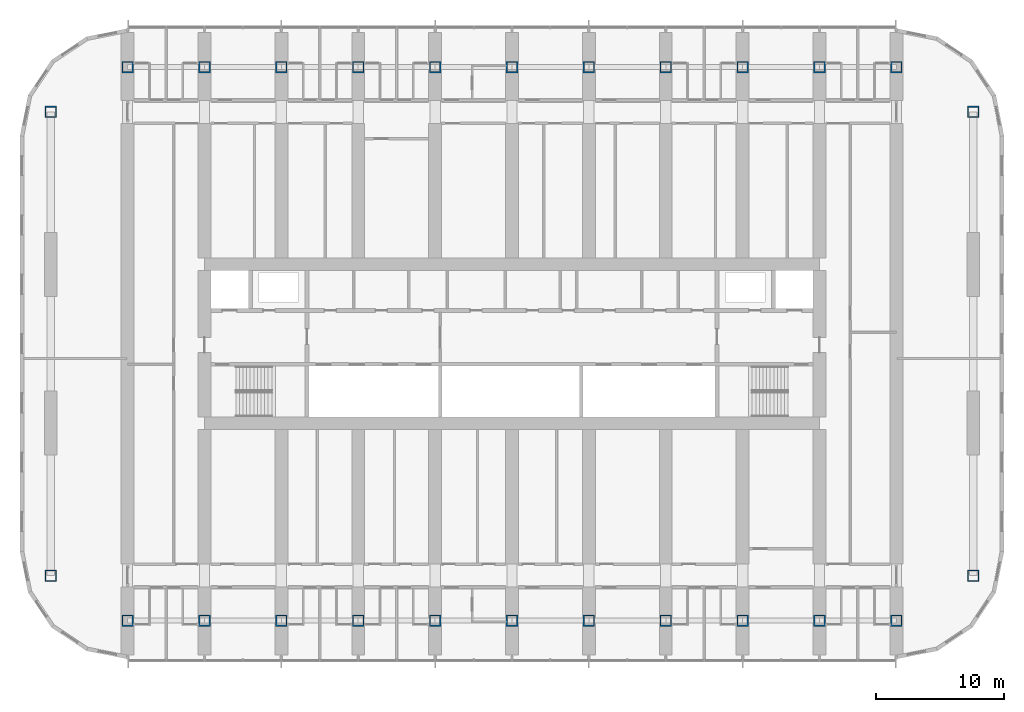
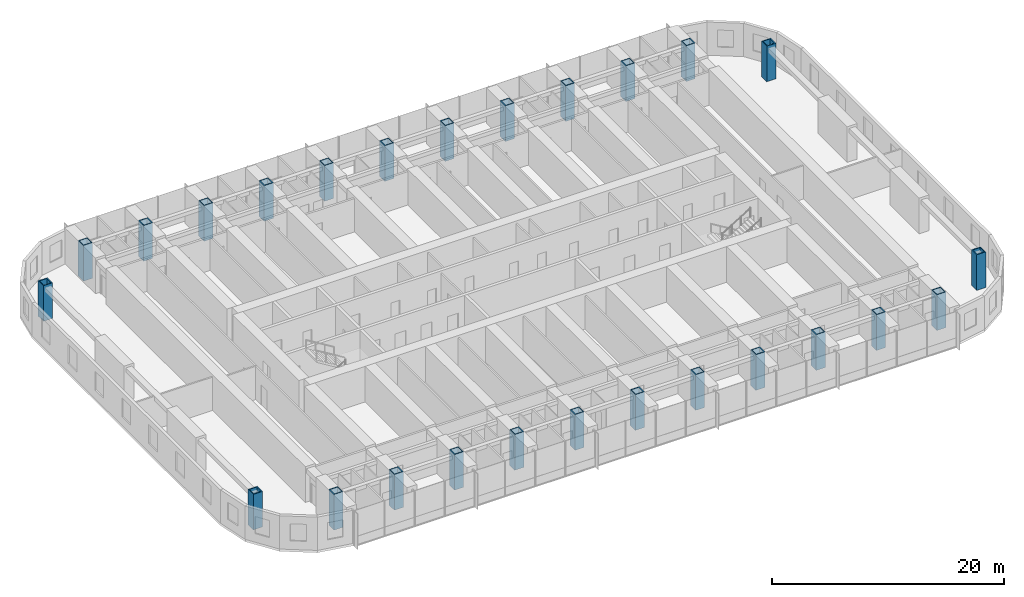
# One storey, part 1 of 23: 26 columns.
"""IFC4 building model written with IfcOpenShell, lengths in metres."""

from ifc_helpers import new_model, si_unit, direction, frame, origin, origin_2d, place, context, subcontext, project, spatial, hollow_rectangle, extrude, material, material_profile, profile_set, type_object, element, save


model = new_model("IFC4")

# Units and contexts
model_context = context("Model", 3, precision=1e-05, world=origin(), true_north=direction((0.0, 1.0)))
body_context = subcontext(model_context, "Body", "Model", "MODEL_VIEW")
ifc_project = project(units=[si_unit("LENGTHUNIT", "METRE"), si_unit("AREAUNIT", "SQUARE_METRE"), si_unit("VOLUMEUNIT", "CUBIC_METRE"), si_unit("PLANEANGLEUNIT", "RADIAN"), si_unit("MASSUNIT", "GRAM", prefix="KILO")], contexts=[model_context])

# Site, building, storey
site_placement = place(None, origin())
site = spatial("IfcSite", under=ifc_project, at=site_placement, CompositionType="ELEMENT")
building_placement = place(site_placement, origin())
building = spatial("IfcBuilding", under=site, at=building_placement, Name="Orbita Commons", CompositionType="ELEMENT")
storey_placement = place(building_placement, frame((0.0, 0.0, 46.449951171875)))
storey = spatial("IfcBuildingStorey", under=building, at=storey_placement, Name="L11", CompositionType="ELEMENT", Elevation=46.449951171875)

# Columns
ifc_material = material(Name="Steel ASTM A572 Gr 50 welded plate", Category="steel")
ifc_material_profile = material_profile(ifc_material, hollow_rectangle(XDim=0.89990234375, YDim=0.89990234375, WallThickness=0.090087890625, at=origin_2d()), Name="BOX 900x900x90")
ifc_profile_set = profile_set([ifc_material_profile], Name="Steel ASTM A572 Gr 50 welded plate")
column_type = type_object("IfcColumnType", Name="Steel column BOX 900x900x90", PredefinedType="COLUMN", material=ifc_profile_set)
for number, where, z_axis, x_axis, name in (
    (1, (12.0, 10.39990234375, 0.0), (0.0, 0.0, 1.0), (1.0, 0.0, 0.0), "Column 3/B L11"),
    (2, (12.0, 53.60009765625, 0.0), (0.0, 0.0, 1.0), (1.0, 0.0, 0.0), "Column 3/E L11"),
    (3, (18.0, 10.39990234375, 0.0), (0.0, 0.0, 1.0), (1.0, 0.0, 0.0), "Column 4/B L11"),
    (4, (18.0, 53.60009765625, 0.0), (0.0, 0.0, 1.0), (1.0, 0.0, 0.0), "Column 4/E L11"),
    (5, (24.0, 10.39990234375, 0.0), (0.0, 0.0, 1.0), (1.0, 0.0, 0.0), "Column 5/B L11"),
    (6, (24.0, 53.60009765625, 0.0), (0.0, 0.0, 1.0), (1.0, 0.0, 0.0), "Column 5/E L11"),
    (7, (30.0, 10.39990234375, 0.0), (0.0, 0.0, 1.0), (1.0, 0.0, 0.0), "Column 6/B L11"),
    (8, (30.0, 53.60009765625, 0.0), (0.0, 0.0, 1.0), (1.0, 0.0, 0.0), "Column 6/E L11"),
    (9, (36.0, 10.39990234375, 0.0), (0.0, 0.0, 1.0), (1.0, 0.0, 0.0), "Column 7/B L11"),
    (10, (36.0, 53.60009765625, 0.0), (0.0, 0.0, 1.0), (1.0, 0.0, 0.0), "Column 7/E L11"),
    (11, (42.0, 10.39990234375, 0.0), (0.0, 0.0, 1.0), (1.0, 0.0, 0.0), "Column 8/B L11"),
    (12, (42.0, 53.60009765625, 0.0), (0.0, 0.0, 1.0), (1.0, 0.0, 0.0), "Column 8/E L11"),
    (13, (48.0, 10.39990234375, 0.0), (0.0, 0.0, 1.0), (1.0, 0.0, 0.0), "Column 9/B L11"),
    (14, (48.0, 53.60009765625, 0.0), (0.0, 0.0, 1.0), (1.0, 0.0, 0.0), "Column 9/E L11"),
    (15, (54.0, 10.39990234375, 0.0), (0.0, 0.0, 1.0), (1.0, 0.0, 0.0), "Column 10/B L11"),
    (16, (54.0, 53.60009765625, 0.0), (0.0, 0.0, 1.0), (1.0, 0.0, 0.0), "Column 10/E L11"),
    (17, (60.0, 10.39990234375, 0.0), (0.0, 0.0, 1.0), (1.0, 0.0, 0.0), "Column 11/B L11"),
    (18, (60.0, 53.60009765625, 0.0), (0.0, 0.0, 1.0), (1.0, 0.0, 0.0), "Column 11/E L11"),
    (19, (66.0, 10.39990234375, 0.0), (0.0, 0.0, 1.0), (1.0, 0.0, 0.0), "Column 12/B L11"),
    (20, (66.0, 53.60009765625, 0.0), (0.0, 0.0, 1.0), (1.0, 0.0, 0.0), "Column 12/E L11"),
    (21, (72.0, 10.39990234375, 0.0), (0.0, 0.0, 1.0), (1.0, 0.0, 0.0), "Column 13/B L11"),
    (22, (72.0, 53.60009765625, 0.0), (0.0, 0.0, 1.0), (1.0, 0.0, 0.0), "Column 13/E L11"),
    (23, (6.0, 13.89990234375, 0.0), (0.0, 0.0, 1.0), (1.0, 0.0, 0.0), "Column 2/13.9 L11"),
    (24, (6.0, 50.10009765625, 0.0), (0.0, 0.0, 1.0), (1.0, 0.0, 0.0), "Column 2/50.1 L11"),
    (25, (78.0, 13.89990234375, 0.0), (0.0, 0.0, 1.0), (1.0, 0.0, 0.0), "Column 14/13.9 L11"),
    (26, (78.0, 50.10009765625, 0.0), (0.0, 0.0, 1.0), (1.0, 0.0, 0.0), "Column 14/50.1 L11"),
):
    element("IfcColumn", number, at=place(storey_placement, frame(where, z_axis=z_axis, x_axis=x_axis)), inside=storey, type_object=column_type, Name=name, PredefinedType="COLUMN", context=body_context, shape_type="SweptSolid", body=[
        extrude(hollow_rectangle(XDim=0.89990234375, YDim=0.89990234375, WallThickness=0.090087890625, at=origin_2d()), origin(), (0.0, 0.0, 1.0), 3.75),
    ])

save(model, "model.ifc")
